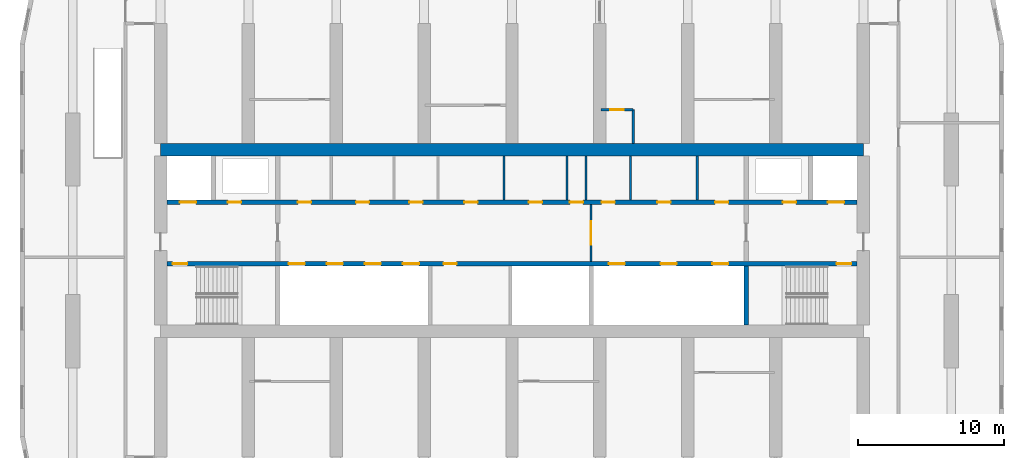
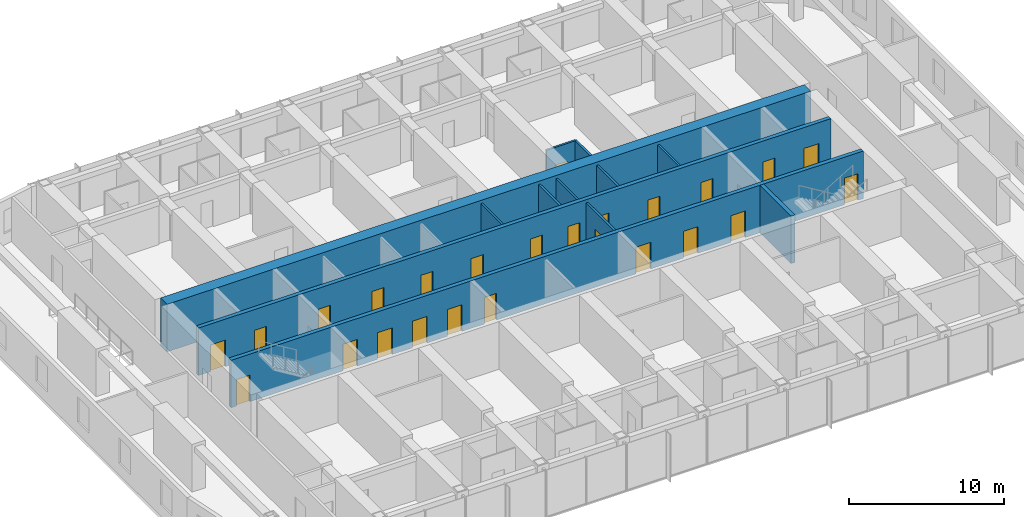
# One storey, part 13 of 22: 25 doors, 12 walls, 25 openings.
"""IFC4 building model written with IfcOpenShell, lengths in metres."""

from ifc_helpers import new_model, si_unit, direction, frame, frame_2d, origin, place, context, subcontext, project, spatial, rectangle, extrude, material, layer, layer_set, type_object, element, fill, save


model = new_model("IFC4")

# Units and contexts
model_context = context("Model", 3, precision=1e-05, world=origin(), true_north=direction((0.0, 1.0)))
body_context = subcontext(model_context, "Body", "Model", "MODEL_VIEW")
ifc_project = project(units=[si_unit("LENGTHUNIT", "METRE"), si_unit("AREAUNIT", "SQUARE_METRE"), si_unit("VOLUMEUNIT", "CUBIC_METRE"), si_unit("PLANEANGLEUNIT", "RADIAN"), si_unit("MASSUNIT", "GRAM", prefix="KILO")], contexts=[model_context])

# Site, building, storey
site_placement = place(None, origin())
site = spatial("IfcSite", under=ifc_project, at=site_placement, CompositionType="ELEMENT")
building_placement = place(site_placement, origin())
building = spatial("IfcBuilding", under=site, at=building_placement, Name="Orbita Commons", CompositionType="ELEMENT")
storey_placement = place(building_placement, frame((0.0, 0.0, 152.35009765625)))
storey = spatial("IfcBuildingStorey", under=building, at=storey_placement, Name="L37", CompositionType="ELEMENT", Elevation=152.35009765625)

# Wall, openings, doors
ifc_material_1 = material(Name="Concrete C50/60", Category="concrete")
ifc_layer_1 = layer(ifc_material_1, 0.300048828125)
ifc_layer_set_1 = layer_set([ifc_layer_1], Name="Concrete C50/60")
wall_type_1 = type_object("IfcWallType", Name="Core inner wall 300 C50/60", PredefinedType="SHEAR", material=ifc_layer_set_1)
wall_1_placement = place(storey_placement, frame((18.425048828125, 30.39990234375, 0.0), z_axis=(0.0, 0.0, 1.0), x_axis=(1.0, 0.0, 0.0)))
wall_1 = element("IfcWall", 1, at=wall_1_placement, inside=storey, type_object=wall_type_1, Name="Lobby wall south L37", PredefinedType="SHEAR", context=body_context, shape_type="SweptSolid", body=[
    extrude(rectangle(XDim=47.14990234375, YDim=0.300048828125, at=frame_2d((23.574951171875, 0.0))), origin(), (0.0, 0.0, 1.0), 3.75),
])
opening_1_placement = place(wall_1_placement, frame((0.39990234375, 0.0, 0.0)))
opening_1 = element("IfcOpeningElement", 2, at=opening_1_placement, cuts=wall_1, Name="Opening D02", PredefinedType="OPENING", context=body_context, shape_type="SweptSolid", body=[
    extrude(rectangle(XDim=1.0, YDim=2.10009765625, at=frame_2d((0.5, 1.050048828125))), frame((0.0, 0.159912109375, 0.0), z_axis=(0.0, -1.0, 0.0), x_axis=(1.0, 0.0, 0.0)), (0.0, 0.0, 1.0), 0.320068359375),
])
opening_2_placement = place(wall_1_placement, frame((45.75, 0.0, 0.0)))
opening_2 = element("IfcOpeningElement", 3, at=opening_2_placement, cuts=wall_1, Name="Opening D02", PredefinedType="OPENING", context=body_context, shape_type="SweptSolid", body=[
    extrude(rectangle(XDim=1.0, YDim=2.10009765625, at=frame_2d((0.5, 1.050048828125))), frame((0.0, 0.159912109375, 0.0), z_axis=(0.0, -1.0, 0.0), x_axis=(1.0, 0.0, 0.0)), (0.0, 0.0, 1.0), 0.320068359375),
])
opening_3_placement = place(wall_1_placement, frame((8.324951171875, 0.0, 0.0)))
opening_3 = element("IfcOpeningElement", 4, at=opening_3_placement, cuts=wall_1, Name="Opening LD02", PredefinedType="OPENING", context=body_context, shape_type="SweptSolid", body=[
    extrude(rectangle(XDim=1.10009765625, YDim=2.10009765625, at=frame_2d((0.550048828125, 1.050048828125))), frame((0.0, 0.159912109375, 0.0), z_axis=(0.0, -1.0, 0.0), x_axis=(1.0, 0.0, 0.0)), (0.0, 0.0, 1.0), 0.320068359375),
])
opening_4_placement = place(wall_1_placement, frame((10.925048828125, 0.0, 0.0)))
opening_4 = element("IfcOpeningElement", 5, at=opening_4_placement, cuts=wall_1, Name="Opening LD02", PredefinedType="OPENING", context=body_context, shape_type="SweptSolid", body=[
    extrude(rectangle(XDim=1.10009765625, YDim=2.10009765625, at=frame_2d((0.550048828125, 1.050048828125))), frame((0.0, 0.159912109375, 0.0), z_axis=(0.0, -1.0, 0.0), x_axis=(1.0, 0.0, 0.0)), (0.0, 0.0, 1.0), 0.320068359375),
])
opening_5_placement = place(wall_1_placement, frame((13.52490234375, 0.0, 0.0)))
opening_5 = element("IfcOpeningElement", 6, at=opening_5_placement, cuts=wall_1, Name="Opening LD02", PredefinedType="OPENING", context=body_context, shape_type="SweptSolid", body=[
    extrude(rectangle(XDim=1.10009765625, YDim=2.10009765625, at=frame_2d((0.550048828125, 1.050048828125))), frame((0.0, 0.159912109375, 0.0), z_axis=(0.0, -1.0, 0.0), x_axis=(1.0, 0.0, 0.0)), (0.0, 0.0, 1.0), 0.320068359375),
])
opening_6_placement = place(wall_1_placement, frame((16.125, 0.0, 0.0)))
opening_6 = element("IfcOpeningElement", 7, at=opening_6_placement, cuts=wall_1, Name="Opening LD02", PredefinedType="OPENING", context=body_context, shape_type="SweptSolid", body=[
    extrude(rectangle(XDim=1.10009765625, YDim=2.10009765625, at=frame_2d((0.550048828125, 1.050048828125))), frame((0.0, 0.159912109375, 0.0), z_axis=(0.0, -1.0, 0.0), x_axis=(1.0, 0.0, 0.0)), (0.0, 0.0, 1.0), 0.320068359375),
])
opening_7_placement = place(wall_1_placement, frame((18.89990234375, 0.0, 0.0)))
opening_7 = element("IfcOpeningElement", 8, at=opening_7_placement, cuts=wall_1, Name="Opening D05", PredefinedType="OPENING", context=body_context, shape_type="SweptSolid", body=[
    extrude(rectangle(XDim=0.89990234375, YDim=2.10009765625, at=frame_2d((0.449951171875, 1.050048828125))), frame((0.0, 0.159912109375, 0.0), z_axis=(0.0, -1.0, 0.0), x_axis=(1.0, 0.0, 0.0)), (0.0, 0.0, 1.0), 0.320068359375),
])
opening_8_placement = place(wall_1_placement, frame((30.191650390625, 0.0, 0.0)))
opening_8 = element("IfcOpeningElement", 9, at=opening_8_placement, cuts=wall_1, Name="Opening LD02", PredefinedType="OPENING", context=body_context, shape_type="SweptSolid", body=[
    extrude(rectangle(XDim=1.10009765625, YDim=2.10009765625, at=frame_2d((0.550048828125, 1.050048828125))), frame((0.0, 0.159912109375, 0.0), z_axis=(0.0, -1.0, 0.0), x_axis=(1.0, 0.0, 0.0)), (0.0, 0.0, 1.0), 0.320068359375),
])
opening_9_placement = place(wall_1_placement, frame((33.72509765625, 0.0, 0.0)))
opening_9 = element("IfcOpeningElement", 10, at=opening_9_placement, cuts=wall_1, Name="Opening LD02", PredefinedType="OPENING", context=body_context, shape_type="SweptSolid", body=[
    extrude(rectangle(XDim=1.10009765625, YDim=2.10009765625, at=frame_2d((0.550048828125, 1.050048828125))), frame((0.0, 0.159912109375, 0.0), z_axis=(0.0, -1.0, 0.0), x_axis=(1.0, 0.0, 0.0)), (0.0, 0.0, 1.0), 0.320068359375),
])
opening_10_placement = place(wall_1_placement, frame((37.25830078125, 0.0, 0.0)))
opening_10 = element("IfcOpeningElement", 11, at=opening_10_placement, cuts=wall_1, Name="Opening LD02", PredefinedType="OPENING", context=body_context, shape_type="SweptSolid", body=[
    extrude(rectangle(XDim=1.10009765625, YDim=2.10009765625, at=frame_2d((0.550048828125, 1.050048828125))), frame((0.0, 0.159912109375, 0.0), z_axis=(0.0, -1.0, 0.0), x_axis=(1.0, 0.0, 0.0)), (0.0, 0.0, 1.0), 0.320068359375),
])
ifc_material_2 = material(Name="Steel-faced fire door leaf", Category="steel")
door_type_1 = type_object("IfcDoorType", Name="Fire door 90 min 1000x2100", OperationType="SINGLE_SWING_LEFT", PredefinedType="DOOR", material=ifc_material_2)
door_1_placement = place(opening_1_placement, origin())
door_1 = element("IfcDoor", 12, at=door_1_placement, inside=storey, type_object=door_type_1, Name="Stair S1 door", OperationType="SINGLE_SWING_LEFT", OverallHeight=2.10009765625, OverallWidth=1.0, PredefinedType="DOOR", context=body_context, shape_type="SweptSolid", body=[
    extrude(rectangle(XDim=1.0, YDim=2.10009765625, at=frame_2d((0.5, 1.050048828125))), frame((0.0, 0.02490234375, 0.0), z_axis=(0.0, -1.0, 0.0), x_axis=(1.0, 0.0, 0.0)), (0.0, 0.0, 1.0), 0.050048828125),
])
fill(opening_1, door_1)
door_2_placement = place(opening_2_placement, origin())
door_2 = element("IfcDoor", 13, at=door_2_placement, inside=storey, type_object=door_type_1, Name="Stair S2 door", OperationType="SINGLE_SWING_LEFT", OverallHeight=2.10009765625, OverallWidth=1.0, PredefinedType="DOOR", context=body_context, shape_type="SweptSolid", body=[
    extrude(rectangle(XDim=1.0, YDim=2.10009765625, at=frame_2d((0.5, 1.050048828125))), frame((0.0, 0.02490234375, 0.0), z_axis=(0.0, -1.0, 0.0), x_axis=(1.0, 0.0, 0.0)), (0.0, 0.0, 1.0), 0.050048828125),
])
fill(opening_2, door_2)
ifc_material_3 = material(Name="Steel-faced fire door leaf", Category="steel")
door_type_2 = type_object("IfcDoorType", Name="Lift landing door 1100x2100", OperationType="DOUBLE_DOOR_SLIDING", PredefinedType="DOOR", material=ifc_material_3)
door_3_placement = place(opening_3_placement, origin())
door_3 = element("IfcDoor", 14, at=door_3_placement, inside=storey, type_object=door_type_2, Name="Lift P31 landing door", OperationType="DOUBLE_DOOR_SLIDING", OverallHeight=2.10009765625, OverallWidth=1.10009765625, PredefinedType="DOOR", context=body_context, shape_type="SweptSolid", body=[
    extrude(rectangle(XDim=1.10009765625, YDim=2.10009765625, at=frame_2d((0.550048828125, 1.050048828125))), frame((0.0, 0.02490234375, 0.0), z_axis=(0.0, -1.0, 0.0), x_axis=(1.0, 0.0, 0.0)), (0.0, 0.0, 1.0), 0.050048828125),
])
fill(opening_3, door_3)
door_4_placement = place(opening_4_placement, origin())
door_4 = element("IfcDoor", 15, at=door_4_placement, inside=storey, type_object=door_type_2, Name="Lift P32 landing door", OperationType="DOUBLE_DOOR_SLIDING", OverallHeight=2.10009765625, OverallWidth=1.10009765625, PredefinedType="DOOR", context=body_context, shape_type="SweptSolid", body=[
    extrude(rectangle(XDim=1.10009765625, YDim=2.10009765625, at=frame_2d((0.550048828125, 1.050048828125))), frame((0.0, 0.02490234375, 0.0), z_axis=(0.0, -1.0, 0.0), x_axis=(1.0, 0.0, 0.0)), (0.0, 0.0, 1.0), 0.050048828125),
])
fill(opening_4, door_4)
door_5_placement = place(opening_5_placement, origin())
door_5 = element("IfcDoor", 16, at=door_5_placement, inside=storey, type_object=door_type_2, Name="Lift P33 landing door", OperationType="DOUBLE_DOOR_SLIDING", OverallHeight=2.10009765625, OverallWidth=1.10009765625, PredefinedType="DOOR", context=body_context, shape_type="SweptSolid", body=[
    extrude(rectangle(XDim=1.10009765625, YDim=2.10009765625, at=frame_2d((0.550048828125, 1.050048828125))), frame((0.0, 0.02490234375, 0.0), z_axis=(0.0, -1.0, 0.0), x_axis=(1.0, 0.0, 0.0)), (0.0, 0.0, 1.0), 0.050048828125),
])
fill(opening_5, door_5)
door_6_placement = place(opening_6_placement, origin())
door_6 = element("IfcDoor", 17, at=door_6_placement, inside=storey, type_object=door_type_2, Name="Lift P34 landing door", OperationType="DOUBLE_DOOR_SLIDING", OverallHeight=2.10009765625, OverallWidth=1.10009765625, PredefinedType="DOOR", context=body_context, shape_type="SweptSolid", body=[
    extrude(rectangle(XDim=1.10009765625, YDim=2.10009765625, at=frame_2d((0.550048828125, 1.050048828125))), frame((0.0, 0.02490234375, 0.0), z_axis=(0.0, -1.0, 0.0), x_axis=(1.0, 0.0, 0.0)), (0.0, 0.0, 1.0), 0.050048828125),
])
fill(opening_6, door_6)
door_7_placement = place(opening_8_placement, origin())
door_7 = element("IfcDoor", 18, at=door_7_placement, inside=storey, type_object=door_type_2, Name="Lift SV1 landing door", OperationType="DOUBLE_DOOR_SLIDING", OverallHeight=2.10009765625, OverallWidth=1.10009765625, PredefinedType="DOOR", context=body_context, shape_type="SweptSolid", body=[
    extrude(rectangle(XDim=1.10009765625, YDim=2.10009765625, at=frame_2d((0.550048828125, 1.050048828125))), frame((0.0, 0.02490234375, 0.0), z_axis=(0.0, -1.0, 0.0), x_axis=(1.0, 0.0, 0.0)), (0.0, 0.0, 1.0), 0.050048828125),
])
fill(opening_8, door_7)
door_8_placement = place(opening_9_placement, origin())
door_8 = element("IfcDoor", 19, at=door_8_placement, inside=storey, type_object=door_type_2, Name="Lift SV2 landing door", OperationType="DOUBLE_DOOR_SLIDING", OverallHeight=2.10009765625, OverallWidth=1.10009765625, PredefinedType="DOOR", context=body_context, shape_type="SweptSolid", body=[
    extrude(rectangle(XDim=1.10009765625, YDim=2.10009765625, at=frame_2d((0.550048828125, 1.050048828125))), frame((0.0, 0.02490234375, 0.0), z_axis=(0.0, -1.0, 0.0), x_axis=(1.0, 0.0, 0.0)), (0.0, 0.0, 1.0), 0.050048828125),
])
fill(opening_9, door_8)
door_9_placement = place(opening_10_placement, origin())
door_9 = element("IfcDoor", 20, at=door_9_placement, inside=storey, type_object=door_type_2, Name="Lift SV3 landing door", OperationType="DOUBLE_DOOR_SLIDING", OverallHeight=2.10009765625, OverallWidth=1.10009765625, PredefinedType="DOOR", context=body_context, shape_type="SweptSolid", body=[
    extrude(rectangle(XDim=1.10009765625, YDim=2.10009765625, at=frame_2d((0.550048828125, 1.050048828125))), frame((0.0, 0.02490234375, 0.0), z_axis=(0.0, -1.0, 0.0), x_axis=(1.0, 0.0, 0.0)), (0.0, 0.0, 1.0), 0.050048828125),
])
fill(opening_10, door_9)
ifc_material_4 = material(Name="Steel-faced fire door leaf", Category="steel")
door_type_3 = type_object("IfcDoorType", Name="Service door 20 min 900x2100", OperationType="SINGLE_SWING_LEFT", PredefinedType="DOOR", material=ifc_material_4)
door_10_placement = place(opening_7_placement, origin())
door_10 = element("IfcDoor", 21, at=door_10_placement, inside=storey, type_object=door_type_3, Name="Linen store door", OperationType="SINGLE_SWING_LEFT", OverallHeight=2.10009765625, OverallWidth=0.89990234375, PredefinedType="DOOR", context=body_context, shape_type="SweptSolid", body=[
    extrude(rectangle(XDim=0.89990234375, YDim=2.10009765625, at=frame_2d((0.449951171875, 1.050048828125))), frame((0.0, 0.02490234375, 0.0), z_axis=(0.0, -1.0, 0.0), x_axis=(1.0, 0.0, 0.0)), (0.0, 0.0, 1.0), 0.050048828125),
])
fill(opening_7, door_10)

wall_2_placement = place(storey_placement, frame((18.425048828125, 34.60009765625, 0.0), z_axis=(0.0, 0.0, 1.0), x_axis=(1.0, 0.0, 0.0)))
wall_2 = element("IfcWall", 22, at=wall_2_placement, inside=storey, type_object=wall_type_1, Name="Lobby wall north L37", PredefinedType="SHEAR", context=body_context, shape_type="SweptSolid", body=[
    extrude(rectangle(XDim=47.14990234375, YDim=0.300048828125, at=frame_2d((23.574951171875, 0.0))), origin(), (0.0, 0.0, 1.0), 3.75),
])
opening_11_placement = place(wall_2_placement, frame((0.89990234375, 0.0, 0.0)))
opening_11 = element("IfcOpeningElement", 23, at=opening_11_placement, cuts=wall_2, Name="Opening LD01", PredefinedType="OPENING", context=body_context, shape_type="SweptSolid", body=[
    extrude(rectangle(XDim=1.10009765625, YDim=2.10009765625, at=frame_2d((0.550048828125, 1.050048828125))), frame((0.0, 0.159912109375, 0.0), z_axis=(0.0, -1.0, 0.0), x_axis=(1.0, 0.0, 0.0)), (0.0, 0.0, 1.0), 0.320068359375),
])
opening_12_placement = place(wall_2_placement, frame((45.14990234375, 0.0, 0.0)))
opening_12 = element("IfcOpeningElement", 24, at=opening_12_placement, cuts=wall_2, Name="Opening LD01", PredefinedType="OPENING", context=body_context, shape_type="SweptSolid", body=[
    extrude(rectangle(XDim=1.10009765625, YDim=2.10009765625, at=frame_2d((0.550048828125, 1.050048828125))), frame((0.0, 0.159912109375, 0.0), z_axis=(0.0, -1.0, 0.0), x_axis=(1.0, 0.0, 0.0)), (0.0, 0.0, 1.0), 0.320068359375),
])
opening_13_placement = place(wall_2_placement, frame((4.175048828125, 0.0, 0.0)))
opening_13 = element("IfcOpeningElement", 25, at=opening_13_placement, cuts=wall_2, Name="Opening D03", PredefinedType="OPENING", context=body_context, shape_type="SweptSolid", body=[
    extrude(rectangle(XDim=0.89990234375, YDim=2.10009765625, at=frame_2d((0.449951171875, 1.050048828125))), frame((0.0, 0.159912109375, 0.0), z_axis=(0.0, -1.0, 0.0), x_axis=(1.0, 0.0, 0.0)), (0.0, 0.0, 1.0), 0.320068359375),
])
opening_14_placement = place(wall_2_placement, frame((42.074951171875, 0.0, 0.0)))
opening_14 = element("IfcOpeningElement", 26, at=opening_14_placement, cuts=wall_2, Name="Opening D03", PredefinedType="OPENING", context=body_context, shape_type="SweptSolid", body=[
    extrude(rectangle(XDim=0.89990234375, YDim=2.10009765625, at=frame_2d((0.449951171875, 1.050048828125))), frame((0.0, 0.159912109375, 0.0), z_axis=(0.0, -1.0, 0.0), x_axis=(1.0, 0.0, 0.0)), (0.0, 0.0, 1.0), 0.320068359375),
])
opening_15_placement = place(wall_2_placement, frame((8.950439453125, 0.0, 0.0)))
opening_15 = element("IfcOpeningElement", 27, at=opening_15_placement, cuts=wall_2, Name="Opening D03", PredefinedType="OPENING", context=body_context, shape_type="SweptSolid", body=[
    extrude(rectangle(XDim=0.89990234375, YDim=2.10009765625, at=frame_2d((0.449951171875, 1.050048828125))), frame((0.0, 0.159912109375, 0.0), z_axis=(0.0, -1.0, 0.0), x_axis=(1.0, 0.0, 0.0)), (0.0, 0.0, 1.0), 0.320068359375),
])
opening_16_placement = place(wall_2_placement, frame((12.923583984375, 0.0, 0.0)))
opening_16 = element("IfcOpeningElement", 28, at=opening_16_placement, cuts=wall_2, Name="Opening D03", PredefinedType="OPENING", context=body_context, shape_type="SweptSolid", body=[
    extrude(rectangle(XDim=0.89990234375, YDim=2.10009765625, at=frame_2d((0.449951171875, 1.050048828125))), frame((0.0, 0.159912109375, 0.0), z_axis=(0.0, -1.0, 0.0), x_axis=(1.0, 0.0, 0.0)), (0.0, 0.0, 1.0), 0.320068359375),
])
opening_17_placement = place(wall_2_placement, frame((16.5712890625, 0.0, 0.0)))
opening_17 = element("IfcOpeningElement", 29, at=opening_17_placement, cuts=wall_2, Name="Opening D03", PredefinedType="OPENING", context=body_context, shape_type="SweptSolid", body=[
    extrude(rectangle(XDim=0.89990234375, YDim=2.10009765625, at=frame_2d((0.449951171875, 1.050048828125))), frame((0.0, 0.159912109375, 0.0), z_axis=(0.0, -1.0, 0.0), x_axis=(1.0, 0.0, 0.0)), (0.0, 0.0, 1.0), 0.320068359375),
])
opening_18_placement = place(wall_2_placement, frame((20.32958984375, 0.0, 0.0)))
opening_18 = element("IfcOpeningElement", 30, at=opening_18_placement, cuts=wall_2, Name="Opening D05", PredefinedType="OPENING", context=body_context, shape_type="SweptSolid", body=[
    extrude(rectangle(XDim=0.89990234375, YDim=2.10009765625, at=frame_2d((0.449951171875, 1.050048828125))), frame((0.0, 0.159912109375, 0.0), z_axis=(0.0, -1.0, 0.0), x_axis=(1.0, 0.0, 0.0)), (0.0, 0.0, 1.0), 0.320068359375),
])
opening_19_placement = place(wall_2_placement, frame((24.735595703125, 0.0, 0.0)))
opening_19 = element("IfcOpeningElement", 31, at=opening_19_placement, cuts=wall_2, Name="Opening D03", PredefinedType="OPENING", context=body_context, shape_type="SweptSolid", body=[
    extrude(rectangle(XDim=0.89990234375, YDim=2.10009765625, at=frame_2d((0.449951171875, 1.050048828125))), frame((0.0, 0.159912109375, 0.0), z_axis=(0.0, -1.0, 0.0), x_axis=(1.0, 0.0, 0.0)), (0.0, 0.0, 1.0), 0.320068359375),
])
opening_20_placement = place(wall_2_placement, frame((27.533447265625, 0.0, 0.0)))
opening_20 = element("IfcOpeningElement", 32, at=opening_20_placement, cuts=wall_2, Name="Opening D03", PredefinedType="OPENING", context=body_context, shape_type="SweptSolid", body=[
    extrude(rectangle(XDim=0.89990234375, YDim=2.10009765625, at=frame_2d((0.449951171875, 1.050048828125))), frame((0.0, 0.159912109375, 0.0), z_axis=(0.0, -1.0, 0.0), x_axis=(1.0, 0.0, 0.0)), (0.0, 0.0, 1.0), 0.320068359375),
])
opening_21_placement = place(wall_2_placement, frame((29.703125, 0.0, 0.0)))
opening_21 = element("IfcOpeningElement", 33, at=opening_21_placement, cuts=wall_2, Name="Opening D05", PredefinedType="OPENING", context=body_context, shape_type="SweptSolid", body=[
    extrude(rectangle(XDim=0.89990234375, YDim=2.10009765625, at=frame_2d((0.449951171875, 1.050048828125))), frame((0.0, 0.159912109375, 0.0), z_axis=(0.0, -1.0, 0.0), x_axis=(1.0, 0.0, 0.0)), (0.0, 0.0, 1.0), 0.320068359375),
])
opening_22_placement = place(wall_2_placement, frame((33.502197265625, 0.0, 0.0)))
opening_22 = element("IfcOpeningElement", 34, at=opening_22_placement, cuts=wall_2, Name="Opening D05", PredefinedType="OPENING", context=body_context, shape_type="SweptSolid", body=[
    extrude(rectangle(XDim=0.89990234375, YDim=2.10009765625, at=frame_2d((0.449951171875, 1.050048828125))), frame((0.0, 0.159912109375, 0.0), z_axis=(0.0, -1.0, 0.0), x_axis=(1.0, 0.0, 0.0)), (0.0, 0.0, 1.0), 0.320068359375),
])
opening_23_placement = place(wall_2_placement, frame((37.453369140625, 0.0, 0.0)))
opening_23 = element("IfcOpeningElement", 35, at=opening_23_placement, cuts=wall_2, Name="Opening D03", PredefinedType="OPENING", context=body_context, shape_type="SweptSolid", body=[
    extrude(rectangle(XDim=0.89990234375, YDim=2.10009765625, at=frame_2d((0.449951171875, 1.050048828125))), frame((0.0, 0.159912109375, 0.0), z_axis=(0.0, -1.0, 0.0), x_axis=(1.0, 0.0, 0.0)), (0.0, 0.0, 1.0), 0.320068359375),
])
ifc_material_5 = material(Name="Steel-faced fire door leaf", Category="steel")
door_type_4 = type_object("IfcDoorType", Name="Firefighting lift landing door 1100x2100", OperationType="DOUBLE_DOOR_SLIDING", PredefinedType="DOOR", material=ifc_material_5)
door_11_placement = place(opening_11_placement, origin())
door_11 = element("IfcDoor", 36, at=door_11_placement, inside=storey, type_object=door_type_4, Name="Firefighting lift FL1 landing door", OperationType="DOUBLE_DOOR_SLIDING", OverallHeight=2.10009765625, OverallWidth=1.10009765625, PredefinedType="DOOR", context=body_context, shape_type="SweptSolid", body=[
    extrude(rectangle(XDim=1.10009765625, YDim=2.10009765625, at=frame_2d((0.550048828125, 1.050048828125))), frame((0.0, 0.02490234375, 0.0), z_axis=(0.0, -1.0, 0.0), x_axis=(1.0, 0.0, 0.0)), (0.0, 0.0, 1.0), 0.050048828125),
])
fill(opening_11, door_11)
door_12_placement = place(opening_12_placement, origin())
door_12 = element("IfcDoor", 37, at=door_12_placement, inside=storey, type_object=door_type_4, Name="Firefighting lift FL2 landing door", OperationType="DOUBLE_DOOR_SLIDING", OverallHeight=2.10009765625, OverallWidth=1.10009765625, PredefinedType="DOOR", context=body_context, shape_type="SweptSolid", body=[
    extrude(rectangle(XDim=1.10009765625, YDim=2.10009765625, at=frame_2d((0.550048828125, 1.050048828125))), frame((0.0, 0.02490234375, 0.0), z_axis=(0.0, -1.0, 0.0), x_axis=(1.0, 0.0, 0.0)), (0.0, 0.0, 1.0), 0.050048828125),
])
fill(opening_12, door_12)
door_13_placement = place(opening_18_placement, origin())
door_13 = element("IfcDoor", 38, at=door_13_placement, inside=storey, type_object=door_type_3, Name="Accessible WC door", OperationType="SINGLE_SWING_LEFT", OverallHeight=2.10009765625, OverallWidth=0.89990234375, PredefinedType="DOOR", context=body_context, shape_type="SweptSolid", body=[
    extrude(rectangle(XDim=0.89990234375, YDim=2.10009765625, at=frame_2d((0.449951171875, 1.050048828125))), frame((0.0, 0.02490234375, 0.0), z_axis=(0.0, -1.0, 0.0), x_axis=(1.0, 0.0, 0.0)), (0.0, 0.0, 1.0), 0.050048828125),
])
fill(opening_18, door_13)
door_14_placement = place(opening_21_placement, origin())
door_14 = element("IfcDoor", 39, at=door_14_placement, inside=storey, type_object=door_type_3, Name="Staff WC door", OperationType="SINGLE_SWING_LEFT", OverallHeight=2.10009765625, OverallWidth=0.89990234375, PredefinedType="DOOR", context=body_context, shape_type="SweptSolid", body=[
    extrude(rectangle(XDim=0.89990234375, YDim=2.10009765625, at=frame_2d((0.449951171875, 1.050048828125))), frame((0.0, 0.02490234375, 0.0), z_axis=(0.0, -1.0, 0.0), x_axis=(1.0, 0.0, 0.0)), (0.0, 0.0, 1.0), 0.050048828125),
])
fill(opening_21, door_14)
door_15_placement = place(opening_22_placement, origin())
door_15 = element("IfcDoor", 40, at=door_15_placement, inside=storey, type_object=door_type_3, Name="Vending and ice room door", OperationType="SINGLE_SWING_LEFT", OverallHeight=2.10009765625, OverallWidth=0.89990234375, PredefinedType="DOOR", context=body_context, shape_type="SweptSolid", body=[
    extrude(rectangle(XDim=0.89990234375, YDim=2.10009765625, at=frame_2d((0.449951171875, 1.050048828125))), frame((0.0, 0.02490234375, 0.0), z_axis=(0.0, -1.0, 0.0), x_axis=(1.0, 0.0, 0.0)), (0.0, 0.0, 1.0), 0.050048828125),
])
fill(opening_22, door_15)
ifc_material_6 = material(Name="Steel-faced fire door leaf", Category="steel")
door_type_5 = type_object("IfcDoorType", Name="Shaft access door 90 min 900x2100", OperationType="SINGLE_SWING_LEFT", PredefinedType="DOOR", material=ifc_material_6)
door_16_placement = place(opening_13_placement, origin())
door_16 = element("IfcDoor", 41, at=door_16_placement, inside=storey, type_object=door_type_5, Name="Riser door west", OperationType="SINGLE_SWING_LEFT", OverallHeight=2.10009765625, OverallWidth=0.89990234375, PredefinedType="DOOR", context=body_context, shape_type="SweptSolid", body=[
    extrude(rectangle(XDim=0.89990234375, YDim=2.10009765625, at=frame_2d((0.449951171875, 1.050048828125))), frame((0.0, 0.02490234375, 0.0), z_axis=(0.0, -1.0, 0.0), x_axis=(1.0, 0.0, 0.0)), (0.0, 0.0, 1.0), 0.050048828125),
])
fill(opening_13, door_16)
door_17_placement = place(opening_14_placement, origin())
door_17 = element("IfcDoor", 42, at=door_17_placement, inside=storey, type_object=door_type_5, Name="Riser door east", OperationType="SINGLE_SWING_LEFT", OverallHeight=2.10009765625, OverallWidth=0.89990234375, PredefinedType="DOOR", context=body_context, shape_type="SweptSolid", body=[
    extrude(rectangle(XDim=0.89990234375, YDim=2.10009765625, at=frame_2d((0.449951171875, 1.050048828125))), frame((0.0, 0.02490234375, 0.0), z_axis=(0.0, -1.0, 0.0), x_axis=(1.0, 0.0, 0.0)), (0.0, 0.0, 1.0), 0.050048828125),
])
fill(opening_14, door_17)
door_18_placement = place(opening_15_placement, origin())
door_18 = element("IfcDoor", 43, at=door_18_placement, inside=storey, type_object=door_type_5, Name="Cleaners store door", OperationType="SINGLE_SWING_LEFT", OverallHeight=2.10009765625, OverallWidth=0.89990234375, PredefinedType="DOOR", context=body_context, shape_type="SweptSolid", body=[
    extrude(rectangle(XDim=0.89990234375, YDim=2.10009765625, at=frame_2d((0.449951171875, 1.050048828125))), frame((0.0, 0.02490234375, 0.0), z_axis=(0.0, -1.0, 0.0), x_axis=(1.0, 0.0, 0.0)), (0.0, 0.0, 1.0), 0.050048828125),
])
fill(opening_15, door_18)
door_19_placement = place(opening_16_placement, origin())
door_19 = element("IfcDoor", 44, at=door_19_placement, inside=storey, type_object=door_type_5, Name="Refuse chute room door", OperationType="SINGLE_SWING_LEFT", OverallHeight=2.10009765625, OverallWidth=0.89990234375, PredefinedType="DOOR", context=body_context, shape_type="SweptSolid", body=[
    extrude(rectangle(XDim=0.89990234375, YDim=2.10009765625, at=frame_2d((0.449951171875, 1.050048828125))), frame((0.0, 0.02490234375, 0.0), z_axis=(0.0, -1.0, 0.0), x_axis=(1.0, 0.0, 0.0)), (0.0, 0.0, 1.0), 0.050048828125),
])
fill(opening_16, door_19)
door_20_placement = place(opening_17_placement, origin())
door_20 = element("IfcDoor", 45, at=door_20_placement, inside=storey, type_object=door_type_5, Name="Electrical riser room door", OperationType="SINGLE_SWING_LEFT", OverallHeight=2.10009765625, OverallWidth=0.89990234375, PredefinedType="DOOR", context=body_context, shape_type="SweptSolid", body=[
    extrude(rectangle(XDim=0.89990234375, YDim=2.10009765625, at=frame_2d((0.449951171875, 1.050048828125))), frame((0.0, 0.02490234375, 0.0), z_axis=(0.0, -1.0, 0.0), x_axis=(1.0, 0.0, 0.0)), (0.0, 0.0, 1.0), 0.050048828125),
])
fill(opening_17, door_20)
door_21_placement = place(opening_19_placement, origin())
door_21 = element("IfcDoor", 46, at=door_21_placement, inside=storey, type_object=door_type_5, Name="Communications room door", OperationType="SINGLE_SWING_LEFT", OverallHeight=2.10009765625, OverallWidth=0.89990234375, PredefinedType="DOOR", context=body_context, shape_type="SweptSolid", body=[
    extrude(rectangle(XDim=0.89990234375, YDim=2.10009765625, at=frame_2d((0.449951171875, 1.050048828125))), frame((0.0, 0.02490234375, 0.0), z_axis=(0.0, -1.0, 0.0), x_axis=(1.0, 0.0, 0.0)), (0.0, 0.0, 1.0), 0.050048828125),
])
fill(opening_19, door_21)
door_22_placement = place(opening_20_placement, origin())
door_22 = element("IfcDoor", 47, at=door_22_placement, inside=storey, type_object=door_type_5, Name="Stair pressurisation duct door", OperationType="SINGLE_SWING_LEFT", OverallHeight=2.10009765625, OverallWidth=0.89990234375, PredefinedType="DOOR", context=body_context, shape_type="SweptSolid", body=[
    extrude(rectangle(XDim=0.89990234375, YDim=2.10009765625, at=frame_2d((0.449951171875, 1.050048828125))), frame((0.0, 0.02490234375, 0.0), z_axis=(0.0, -1.0, 0.0), x_axis=(1.0, 0.0, 0.0)), (0.0, 0.0, 1.0), 0.050048828125),
])
fill(opening_20, door_22)
door_23_placement = place(opening_23_placement, origin())
door_23 = element("IfcDoor", 48, at=door_23_placement, inside=storey, type_object=door_type_5, Name="Housekeeping store door", OperationType="SINGLE_SWING_LEFT", OverallHeight=2.10009765625, OverallWidth=0.89990234375, PredefinedType="DOOR", context=body_context, shape_type="SweptSolid", body=[
    extrude(rectangle(XDim=0.89990234375, YDim=2.10009765625, at=frame_2d((0.449951171875, 1.050048828125))), frame((0.0, 0.02490234375, 0.0), z_axis=(0.0, -1.0, 0.0), x_axis=(1.0, 0.0, 0.0)), (0.0, 0.0, 1.0), 0.050048828125),
])
fill(opening_23, door_23)

# Wall
wall_3_placement = place(storey_placement, frame((58.0, 26.22509765625, 0.0), z_axis=(0.0, 0.0, 1.0), x_axis=(0.0, 1.0, 0.0)))
element("IfcWall", 49, at=wall_3_placement, inside=storey, type_object=wall_type_1, Name="Stair S2 wall L37", PredefinedType="SHEAR", context=body_context, shape_type="SweptSolid", body=[
    extrude(rectangle(XDim=4.02490234375, YDim=0.300048828125, at=frame_2d((2.012451171875, 0.0))), origin(), (0.0, 0.0, 1.0), 3.75),
])

# Wall, opening, door
ifc_material_7 = material(Name="Concrete blockwork", Category="masonry")
ifc_layer_2 = layer(ifc_material_7, 0.14990234375)
ifc_layer_set_2 = layer_set([ifc_layer_2], Name="Concrete blockwork")
wall_type_2 = type_object("IfcWallType", Name="Core partition 150 blockwork", PredefinedType="SOLIDWALL", material=ifc_layer_set_2)
wall_4_placement = place(storey_placement, frame((47.39990234375, 30.550048828125, 0.0), z_axis=(0.0, 0.0, 1.0), x_axis=(0.0, 1.0, 0.0)))
wall_4 = element("IfcWall", 50, at=wall_4_placement, inside=storey, type_object=wall_type_2, Name="Core partition 150 blockwork L37", PredefinedType="SOLIDWALL", context=body_context, shape_type="SweptSolid", body=[
    extrude(rectangle(XDim=3.89990234375, YDim=0.14990234375, at=frame_2d((1.949951171875, 0.0))), origin(), (0.0, 0.0, 1.0), 3.5),
])
opening_24_placement = place(wall_4_placement, frame((1.14990234375, 0.0, 0.0)))
opening_24 = element("IfcOpeningElement", 51, at=opening_24_placement, cuts=wall_4, Name="Opening D10", PredefinedType="OPENING", context=body_context, shape_type="SweptSolid", body=[
    extrude(rectangle(XDim=1.60009765625, YDim=2.10009765625, at=frame_2d((0.800048828125, 1.050048828125))), frame((0.0, 0.0849609375, 0.0), z_axis=(0.0, -1.0, 0.0), x_axis=(1.0, 0.0, 0.0)), (0.0, 0.0, 1.0), 0.169921875),
])
ifc_material_8 = material(Name="Steel-faced fire door leaf", Category="steel")
door_type_6 = type_object("IfcDoorType", Name="Double corridor door 20 min 1600x2100", OperationType="DOUBLE_DOOR_SINGLE_SWING", PredefinedType="DOOR", material=ifc_material_8)
door_24_placement = place(opening_24_placement, origin())
door_24 = element("IfcDoor", 52, at=door_24_placement, inside=storey, type_object=door_type_6, Name="Lift lobby screen doors", OperationType="DOUBLE_DOOR_SINGLE_SWING", OverallHeight=2.10009765625, OverallWidth=1.60009765625, PredefinedType="DOOR", context=body_context, shape_type="SweptSolid", body=[
    extrude(rectangle(XDim=1.60009765625, YDim=2.10009765625, at=frame_2d((0.800048828125, 1.050048828125))), frame((0.0, 0.02490234375, 0.0), z_axis=(0.0, -1.0, 0.0), x_axis=(1.0, 0.0, 0.0)), (0.0, 0.0, 1.0), 0.050048828125),
])
fill(opening_24, door_24)

# Walls
for number, where, z_axis, x_axis, name in (
    (53, (41.463134765625, 34.75, 0.0), (0.0, 0.0, 1.0), (0.0, 1.0, 0.0), "Core partition 150 blockwork L37"),
    (54, (45.75830078125, 34.75, 0.0), (0.0, 0.0, 1.0), (0.0, 1.0, 0.0), "Core partition 150 blockwork L37"),
    (55, (47.058349609375, 34.75, 0.0), (0.0, 0.0, 1.0), (0.0, 1.0, 0.0), "Core partition 150 blockwork L37"),
    (56, (50.09765625, 34.75, 0.0), (0.0, 0.0, 1.0), (0.0, 1.0, 0.0), "Core partition 150 blockwork L37"),
    (57, (54.65673828125, 34.75, 0.0), (0.0, 0.0, 1.0), (0.0, 1.0, 0.0), "Core partition 150 blockwork L37"),
):
    element("IfcWall", number, at=place(storey_placement, frame(where, z_axis=z_axis, x_axis=x_axis)), inside=storey, type_object=wall_type_2, Name=name, PredefinedType="SOLIDWALL", context=body_context, shape_type="SweptSolid", body=[
        extrude(rectangle(XDim=3.02490234375, YDim=0.14990234375, at=frame_2d((1.512451171875, 0.0))), origin(), (0.0, 0.0, 1.0), 3.5),
    ])
ifc_material_9 = material(Name="Concrete C50/60", Category="concrete")
ifc_layer_3 = layer(ifc_material_9, 0.85009765625)
ifc_layer_set_3 = layer_set([ifc_layer_3], Name="Concrete C50/60")
wall_type_3 = type_object("IfcWallType", Name="Core wall 850 C50/60", PredefinedType="SHEAR", material=ifc_layer_set_3)
wall_5_placement = place(storey_placement, frame((18.0, 38.199951171875, 0.0), z_axis=(0.0, 0.0, 1.0), x_axis=(1.0, 0.0, 0.0)))
element("IfcWall", 58, at=wall_5_placement, inside=storey, type_object=wall_type_3, Name="Core spine wall north L37", PredefinedType="SHEAR", context=body_context, shape_type="SweptSolid", body=[
    extrude(rectangle(XDim=48.0, YDim=0.85009765625, at=frame_2d((24.0, 0.0))), origin(), (0.0, 0.0, 1.0), 3.75),
])
ifc_material_10 = material(Name="Gypsum plasterboard on steel studs", Category="steel")
ifc_layer_4 = layer(ifc_material_10, 0.14990234375)
ifc_layer_set_4 = layer_set([ifc_layer_4], Name="Gypsum plasterboard on steel studs")
wall_type_4 = type_object("IfcWallType", Name="Partition 150 plasterboard", PredefinedType="PARTITIONING", material=ifc_layer_set_4)
wall_6_placement = place(storey_placement, frame((50.27490234375, 40.925048828125, 0.0), z_axis=(0.0, 0.0, 1.0), x_axis=(0.0, -1.0, 0.0)))
element("IfcWall", 59, at=wall_6_placement, inside=storey, type_object=wall_type_4, Name="Partition 150 plasterboard L37", PredefinedType="PARTITIONING", context=body_context, shape_type="SweptSolid", body=[
    extrude(rectangle(XDim=2.300048828125, YDim=0.14990234375, at=frame_2d((1.14990234375, 0.0))), origin(), (0.0, 0.0, 1.0), 3.5),
])

# Wall, opening, door
wall_7_placement = place(storey_placement, frame((50.27490234375, 40.925048828125, 0.0), z_axis=(0.0, 0.0, 1.0), x_axis=(-1.0, 0.0, 0.0)))
wall_7 = element("IfcWall", 60, at=wall_7_placement, inside=storey, type_object=wall_type_4, Name="Partition 150 plasterboard L37", PredefinedType="PARTITIONING", context=body_context, shape_type="SweptSolid", body=[
    extrude(rectangle(XDim=2.199951171875, YDim=0.14990234375, at=frame_2d((1.10009765625, 0.0))), origin(), (0.0, 0.0, 1.0), 3.5),
])
opening_25_placement = place(wall_7_placement, frame((0.64990234375, 0.0, 0.0)))
opening_25 = element("IfcOpeningElement", 61, at=opening_25_placement, cuts=wall_7, Name="Opening D05", PredefinedType="OPENING", context=body_context, shape_type="SweptSolid", body=[
    extrude(rectangle(XDim=0.89990234375, YDim=2.10009765625, at=frame_2d((0.449951171875, 1.050048828125))), frame((0.0, 0.0849609375, 0.0), z_axis=(0.0, -1.0, 0.0), x_axis=(1.0, 0.0, 0.0)), (0.0, 0.0, 1.0), 0.169921875),
])
door_25_placement = place(opening_25_placement, origin())
door_25 = element("IfcDoor", 62, at=door_25_placement, inside=storey, type_object=door_type_3, Name="Accessible WC L37-BDN48 door", OperationType="SINGLE_SWING_LEFT", OverallHeight=2.10009765625, OverallWidth=0.89990234375, PredefinedType="DOOR", context=body_context, shape_type="SweptSolid", body=[
    extrude(rectangle(XDim=0.89990234375, YDim=2.10009765625, at=frame_2d((0.449951171875, 1.050048828125))), frame((0.0, 0.02490234375, 0.0), z_axis=(0.0, -1.0, 0.0), x_axis=(1.0, 0.0, 0.0)), (0.0, 0.0, 1.0), 0.050048828125),
])
fill(opening_25, door_25)

save(model, "model.ifc")
